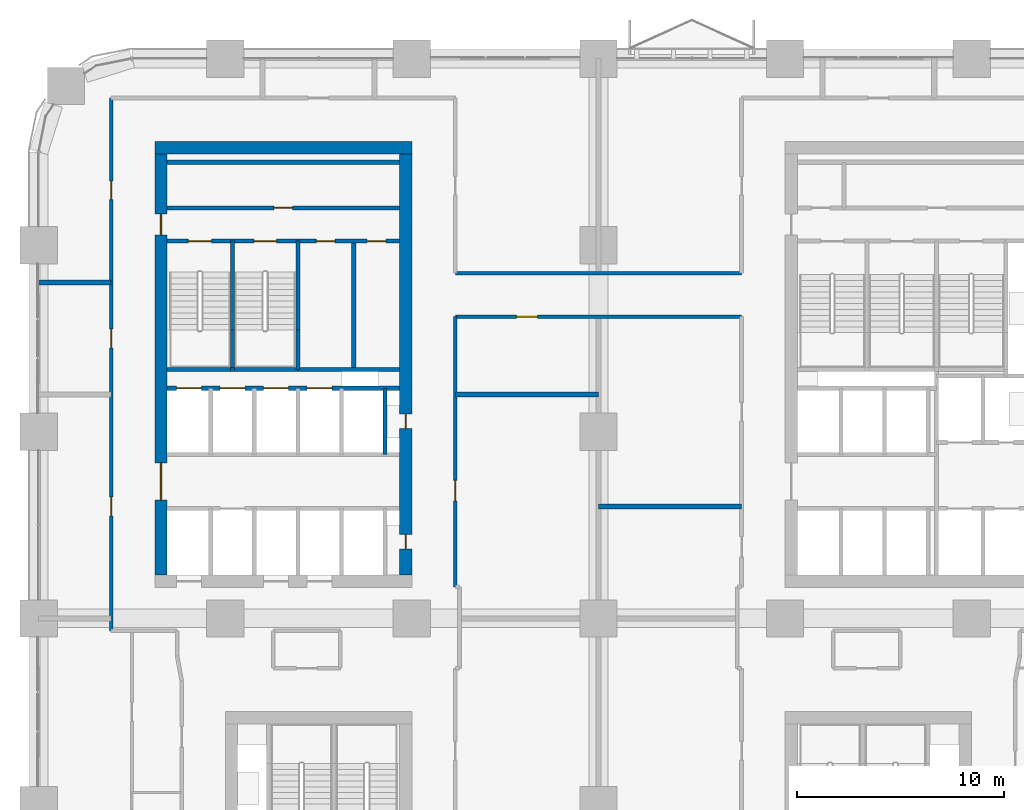
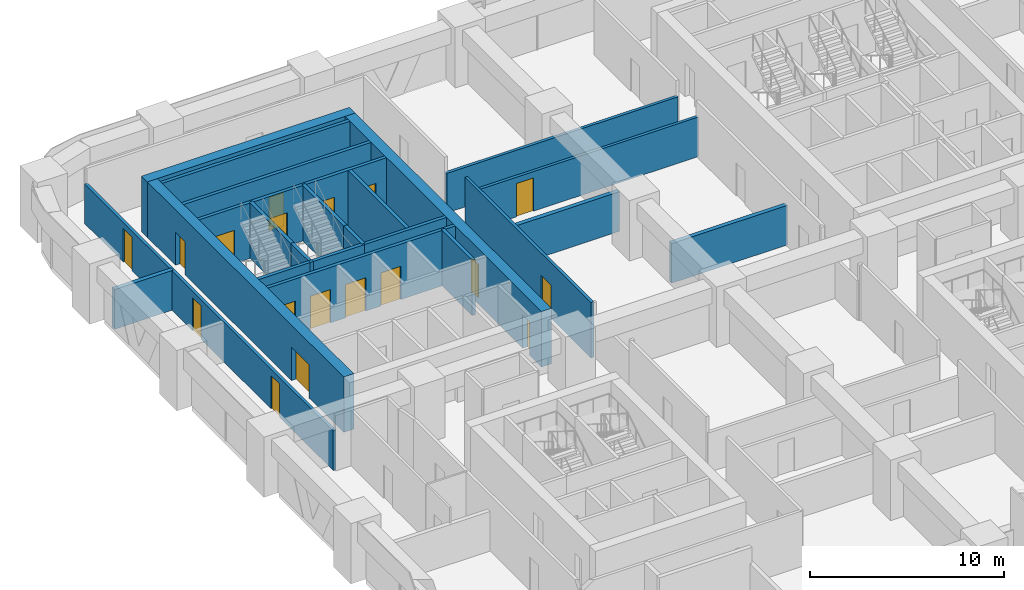
# One storey, part 16 of 22: 25 walls, 18 doors, 18 openings.
"""IFC4 building model written with IfcOpenShell, lengths in metres."""

from ifc_helpers import new_model, si_unit, direction, frame, frame_2d, origin, place, context, subcontext, project, spatial, rectangle, extrude, material, layer, layer_set, type_object, element, fill, save


model = new_model("IFC4")

# Units and contexts
model_context = context("Model", 3, precision=1e-05, world=origin(), true_north=direction((0.0, 1.0)))
body_context = subcontext(model_context, "Body", "Model", "MODEL_VIEW")
ifc_project = project(units=[si_unit("LENGTHUNIT", "METRE"), si_unit("AREAUNIT", "SQUARE_METRE"), si_unit("VOLUMEUNIT", "CUBIC_METRE"), si_unit("PLANEANGLEUNIT", "RADIAN"), si_unit("MASSUNIT", "GRAM", prefix="KILO")], contexts=[model_context])

# Site, building, storey
site_placement = place(None, origin())
site = spatial("IfcSite", under=ifc_project, at=site_placement, CompositionType="ELEMENT")
building_placement = place(site_placement, origin())
building = spatial("IfcBuilding", under=site, at=building_placement, Name="Tessera Arch", CompositionType="ELEMENT")
storey_placement = place(building_placement, frame((0.0, 0.0, 53.800048828125)))
storey = spatial("IfcBuildingStorey", under=building, at=storey_placement, Name="L11", CompositionType="ELEMENT", Elevation=53.800048828125)

# Wall
ifc_material_1 = material(Name="Gypsum board on steel stud", Category="steel")
ifc_layer_1 = layer(ifc_material_1, 0.125)
ifc_layer_set_1 = layer_set([ifc_layer_1], Name="Core partition 125 EI 60")
wall_type_1 = type_object("IfcWallType", Name="Core partition 125 EI 60", PredefinedType="PARTITIONING", material=ifc_layer_set_1)
wall_1_placement = place(storey_placement, frame((15.195068359375, 39.0, 0.0), z_axis=(0.0, 0.0, 1.0), x_axis=(0.0, 1.0, 0.0)))
element("IfcWall", 1, at=wall_1_placement, inside=storey, type_object=wall_type_1, Name="L11 C2 partition wall 13", PredefinedType="PARTITIONING", context=body_context, shape_type="SweptSolid", body=[
    extrude(rectangle(XDim=6.199951171875, YDim=0.199951171875, at=frame_2d((3.10009765625, 0.0))), origin(), (0.0, 0.0, 1.0), 3.5),
])

# Wall, openings, doors
wall_2_placement = place(storey_placement, frame((12.5, 45.199951171875, 0.0), z_axis=(0.0, 0.0, 1.0), x_axis=(1.0, 0.0, 0.0)))
wall_2 = element("IfcWall", 2, at=wall_2_placement, inside=storey, type_object=wall_type_1, Name="L11 C2 partition wall 23", PredefinedType="PARTITIONING", context=body_context, shape_type="SweptSolid", body=[
    extrude(rectangle(XDim=4.89990234375, YDim=0.199951171875, at=frame_2d((2.449951171875, 0.0))), origin(), (0.0, 0.0, 1.0), 3.5),
])
opening_1_placement = place(wall_2_placement, frame((0.8974609375, 0.0, 0.0)))
opening_1 = element("IfcOpeningElement", 3, at=opening_1_placement, cuts=wall_2, Name="Opening L11-C29", PredefinedType="OPENING", context=body_context, shape_type="SweptSolid", body=[
    extrude(rectangle(XDim=0.89990234375, YDim=2.10009765625, at=frame_2d((0.449951171875, 1.050048828125))), frame((0.0, 0.10986328125, 0.0), z_axis=(0.0, -1.0, 0.0), x_axis=(1.0, 0.0, 0.0)), (0.0, 0.0, 1.0), 0.219970703125),
])
opening_2_placement = place(wall_2_placement, frame((3.347412109375, 0.0, 0.0)))
opening_2 = element("IfcOpeningElement", 4, at=opening_2_placement, cuts=wall_2, Name="Opening L11-C30", PredefinedType="OPENING", context=body_context, shape_type="SweptSolid", body=[
    extrude(rectangle(XDim=0.89990234375, YDim=2.10009765625, at=frame_2d((0.449951171875, 1.050048828125))), frame((0.0, 0.10986328125, 0.0), z_axis=(0.0, -1.0, 0.0), x_axis=(1.0, 0.0, 0.0)), (0.0, 0.0, 1.0), 0.219970703125),
])
ifc_material_2 = material(Name="Steel door leaf", Category="steel")
door_type_1 = type_object("IfcDoorType", Name="Store door FD30S 900 x 2100", OperationType="SINGLE_SWING_LEFT", PredefinedType="DOOR", material=ifc_material_2)
door_1_placement = place(opening_1_placement, origin())
door_1 = element("IfcDoor", 5, at=door_1_placement, inside=storey, type_object=door_type_1, Name="L11 C2 door 16 C29 type D09", OperationType="SINGLE_SWING_LEFT", OverallHeight=2.10009765625, OverallWidth=0.89990234375, PredefinedType="DOOR", context=body_context, shape_type="SweptSolid", body=[
    extrude(rectangle(XDim=0.89990234375, YDim=2.10009765625, at=frame_2d((0.449951171875, 1.050048828125))), frame((0.0, 0.02490234375, 0.0), z_axis=(0.0, -1.0, 0.0), x_axis=(1.0, 0.0, 0.0)), (0.0, 0.0, 1.0), 0.050048828125),
])
fill(opening_1, door_1)
door_2_placement = place(opening_2_placement, origin())
door_2 = element("IfcDoor", 6, at=door_2_placement, inside=storey, type_object=door_type_1, Name="L11 C2 door 17 C30 type D09", OperationType="SINGLE_SWING_RIGHT", OverallHeight=2.10009765625, OverallWidth=0.89990234375, PredefinedType="DOOR", context=body_context, shape_type="SweptSolid", body=[
    extrude(rectangle(XDim=0.89990234375, YDim=2.10009765625, at=frame_2d((0.449951171875, 1.050048828125))), frame((0.0, 0.02490234375, 0.0), z_axis=(0.0, -1.0, 0.0), x_axis=(1.0, 0.0, 0.0)), (0.0, 0.0, 1.0), 0.050048828125),
])
fill(opening_2, door_2)

# Wall, opening, door
wall_3_placement = place(storey_placement, frame((6.199951171875, 46.800048828125, 0.0), z_axis=(0.0, 0.0, 1.0), x_axis=(1.0, 0.0, 0.0)))
wall_3 = element("IfcWall", 7, at=wall_3_placement, inside=storey, type_object=wall_type_1, Name="L11 C2 partition wall 25", PredefinedType="PARTITIONING", context=body_context, shape_type="SweptSolid", body=[
    extrude(rectangle(XDim=11.199951171875, YDim=0.199951171875, at=frame_2d((5.60009765625, 0.0))), origin(), (0.0, 0.0, 1.0), 3.5),
])
opening_3_placement = place(wall_3_placement, frame((5.14990234375, 0.0, 0.0)))
opening_3 = element("IfcOpeningElement", 8, at=opening_3_placement, cuts=wall_3, Name="Opening L11-C28", PredefinedType="OPENING", context=body_context, shape_type="SweptSolid", body=[
    extrude(rectangle(XDim=0.89990234375, YDim=2.10009765625, at=frame_2d((0.449951171875, 1.050048828125))), frame((0.0, 0.10986328125, 0.0), z_axis=(0.0, -1.0, 0.0), x_axis=(1.0, 0.0, 0.0)), (0.0, 0.0, 1.0), 0.219970703125),
])
door_3_placement = place(opening_3_placement, origin())
door_3 = element("IfcDoor", 9, at=door_3_placement, inside=storey, type_object=door_type_1, Name="L11 C2 door 15 C28 type D09", OperationType="SINGLE_SWING_RIGHT", OverallHeight=2.10009765625, OverallWidth=0.89990234375, PredefinedType="DOOR", context=body_context, shape_type="SweptSolid", body=[
    extrude(rectangle(XDim=0.89990234375, YDim=2.10009765625, at=frame_2d((0.449951171875, 1.050048828125))), frame((0.0, 0.02490234375, 0.0), z_axis=(0.0, -1.0, 0.0), x_axis=(1.0, 0.0, 0.0)), (0.0, 0.0, 1.0), 0.050048828125),
])
fill(opening_3, door_3)

# Walls
wall_4_placement = place(storey_placement, frame((6.199951171875, 49.0, 0.0), z_axis=(0.0, 0.0, 1.0), x_axis=(1.0, 0.0, 0.0)))
element("IfcWall", 10, at=wall_4_placement, inside=storey, type_object=wall_type_1, Name="L11 C2 partition wall 26", PredefinedType="PARTITIONING", context=body_context, shape_type="SweptSolid", body=[
    extrude(rectangle(XDim=11.199951171875, YDim=0.199951171875, at=frame_2d((5.60009765625, 0.0))), origin(), (0.0, 0.0, 1.0), 3.5),
])
ifc_material_3 = material(Name="Concrete C70/85", Category="concrete")
ifc_layer_2 = layer(ifc_material_3, 0.60009765625)
ifc_layer_set_2 = layer_set([ifc_layer_2], Name="Core shell wall 600 C70-85")
wall_type_2 = type_object("IfcWallType", Name="Core shell wall 600 C70-85", PredefinedType="SHEAR", material=ifc_layer_set_2)
wall_5_placement = place(storey_placement, frame((5.60009765625, 49.699951171875, 0.0), z_axis=(0.0, 0.0, 1.0), x_axis=(1.0, 0.0, 0.0)))
element("IfcWall", 11, at=wall_5_placement, inside=storey, type_object=wall_type_2, Name="L11 C2 core wall N", PredefinedType="SHEAR", context=body_context, shape_type="SweptSolid", body=[
    extrude(rectangle(XDim=12.39990234375, YDim=0.60009765625, at=frame_2d((6.199951171875, 0.0))), origin(), (0.0, 0.0, 1.0), 3.5),
])

# Wall, openings, doors
wall_6_placement = place(storey_placement, frame((5.89990234375, 29.10009765625, 0.0), z_axis=(0.0, 0.0, 1.0), x_axis=(0.0, 1.0, 0.0)))
wall_6 = element("IfcWall", 12, at=wall_6_placement, inside=storey, type_object=wall_type_2, Name="L11 C2 core wall W", PredefinedType="SHEAR", context=body_context, shape_type="SweptSolid", body=[
    extrude(rectangle(XDim=20.2998046875, YDim=0.60009765625, at=frame_2d((10.14990234375, 0.0))), origin(), (0.0, 0.0, 1.0), 3.5),
])
opening_4_placement = place(wall_6_placement, frame((3.60009765625, 0.0, 0.0)))
opening_4 = element("IfcOpeningElement", 13, at=opening_4_placement, cuts=wall_6, Name="Opening L11-C24", PredefinedType="OPENING", context=body_context, shape_type="SweptSolid", body=[
    extrude(rectangle(XDim=1.800048828125, YDim=2.10009765625, at=frame_2d((0.89990234375, 1.050048828125))), frame((0.0, 0.31005859375, 0.0), z_axis=(0.0, -1.0, 0.0), x_axis=(1.0, 0.0, 0.0)), (0.0, 0.0, 1.0), 0.6201171875),
])
opening_5_placement = place(wall_6_placement, frame((16.39990234375, 0.0, 0.0)))
opening_5 = element("IfcOpeningElement", 14, at=opening_5_placement, cuts=wall_6, Name="Opening L11-C27", PredefinedType="OPENING", context=body_context, shape_type="SweptSolid", body=[
    extrude(rectangle(XDim=1.0, YDim=2.10009765625, at=frame_2d((0.5, 1.050048828125))), frame((0.0, 0.31005859375, 0.0), z_axis=(0.0, -1.0, 0.0), x_axis=(1.0, 0.0, 0.0)), (0.0, 0.0, 1.0), 0.6201171875),
])
ifc_material_4 = material(Name="Steel door leaf", Category="steel")
door_type_2 = type_object("IfcDoorType", Name="Corridor door FD60 1000 x 2100", OperationType="SINGLE_SWING_LEFT", PredefinedType="DOOR", material=ifc_material_4)
door_4_placement = place(opening_5_placement, origin())
door_4 = element("IfcDoor", 15, at=door_4_placement, inside=storey, type_object=door_type_2, Name="L11 C2 door 14 C27 type D12", OperationType="SINGLE_SWING_RIGHT", OverallHeight=2.10009765625, OverallWidth=1.0, PredefinedType="DOOR", context=body_context, shape_type="SweptSolid", body=[
    extrude(rectangle(XDim=1.0, YDim=2.10009765625, at=frame_2d((0.5, 1.050048828125))), frame((0.0, 0.02490234375, 0.0), z_axis=(0.0, -1.0, 0.0), x_axis=(1.0, 0.0, 0.0)), (0.0, 0.0, 1.0), 0.050048828125),
])
fill(opening_5, door_4)
ifc_material_5 = material(Name="Glazed steel door leaf", Category="steel")
door_type_3 = type_object("IfcDoorType", Name="Lobby double door FD30S 1800 x 2100", OperationType="DOUBLE_DOOR_SINGLE_SWING", PredefinedType="DOOR", material=ifc_material_5)
door_5_placement = place(opening_4_placement, origin())
door_5 = element("IfcDoor", 16, at=door_5_placement, inside=storey, type_object=door_type_3, Name="L11 C2 door 11 C24 type D06", OperationType="DOUBLE_DOOR_SINGLE_SWING", OverallHeight=2.10009765625, OverallWidth=1.800048828125, PredefinedType="DOOR", context=body_context, shape_type="SweptSolid", body=[
    extrude(rectangle(XDim=1.800048828125, YDim=2.10009765625, at=frame_2d((0.89990234375, 1.050048828125))), frame((0.0, 0.02490234375, 0.0), z_axis=(0.0, -1.0, 0.0), x_axis=(1.0, 0.0, 0.0)), (0.0, 0.0, 1.0), 0.050048828125),
])
fill(opening_4, door_5)

wall_7_placement = place(storey_placement, frame((17.699951171875, 29.10009765625, 0.0), z_axis=(0.0, 0.0, 1.0), x_axis=(0.0, 1.0, 0.0)))
wall_7 = element("IfcWall", 17, at=wall_7_placement, inside=storey, type_object=wall_type_2, Name="L11 C2 core wall E", PredefinedType="SHEAR", context=body_context, shape_type="SweptSolid", body=[
    extrude(rectangle(XDim=20.2998046875, YDim=0.60009765625, at=frame_2d((10.14990234375, 0.0))), origin(), (0.0, 0.0, 1.0), 3.5),
])
opening_6_placement = place(wall_7_placement, frame((1.25, 0.0, 0.0)))
opening_6 = element("IfcOpeningElement", 18, at=opening_6_placement, cuts=wall_7, Name="Opening L11-C22", PredefinedType="OPENING", context=body_context, shape_type="SweptSolid", body=[
    extrude(rectangle(XDim=0.699951171875, YDim=2.10009765625, at=frame_2d((0.35009765625, 1.050048828125))), frame((0.0, 0.31005859375, 0.0), z_axis=(0.0, -1.0, 0.0), x_axis=(1.0, 0.0, 0.0)), (0.0, 0.0, 1.0), 0.6201171875),
])
opening_7_placement = place(wall_7_placement, frame((7.050048828125, 0.0, 0.0)))
opening_7 = element("IfcOpeningElement", 19, at=opening_7_placement, cuts=wall_7, Name="Opening L11-C23", PredefinedType="OPENING", context=body_context, shape_type="SweptSolid", body=[
    extrude(rectangle(XDim=0.699951171875, YDim=2.10009765625, at=frame_2d((0.35009765625, 1.050048828125))), frame((0.0, 0.31005859375, 0.0), z_axis=(0.0, -1.0, 0.0), x_axis=(1.0, 0.0, 0.0)), (0.0, 0.0, 1.0), 0.6201171875),
])
ifc_material_6 = material(Name="Steel door leaf", Category="steel")
door_type_4 = type_object("IfcDoorType", Name="Service shaft door FD60 700 x 2100", OperationType="SINGLE_SWING_LEFT", PredefinedType="DOOR", material=ifc_material_6)
door_6_placement = place(opening_6_placement, origin())
door_6 = element("IfcDoor", 20, at=door_6_placement, inside=storey, type_object=door_type_4, Name="L11 C2 door 9 C22 type D07", OperationType="SINGLE_SWING_LEFT", OverallHeight=2.10009765625, OverallWidth=0.699951171875, PredefinedType="DOOR", context=body_context, shape_type="SweptSolid", body=[
    extrude(rectangle(XDim=0.699951171875, YDim=2.10009765625, at=frame_2d((0.35009765625, 1.050048828125))), frame((0.0, 0.02490234375, 0.0), z_axis=(0.0, -1.0, 0.0), x_axis=(1.0, 0.0, 0.0)), (0.0, 0.0, 1.0), 0.050048828125),
])
fill(opening_6, door_6)
door_7_placement = place(opening_7_placement, origin())
door_7 = element("IfcDoor", 21, at=door_7_placement, inside=storey, type_object=door_type_4, Name="L11 C2 door 10 C23 type D07", OperationType="SINGLE_SWING_LEFT", OverallHeight=2.10009765625, OverallWidth=0.699951171875, PredefinedType="DOOR", context=body_context, shape_type="SweptSolid", body=[
    extrude(rectangle(XDim=0.699951171875, YDim=2.10009765625, at=frame_2d((0.35009765625, 1.050048828125))), frame((0.0, 0.02490234375, 0.0), z_axis=(0.0, -1.0, 0.0), x_axis=(1.0, 0.0, 0.0)), (0.0, 0.0, 1.0), 0.050048828125),
])
fill(opening_7, door_7)

# Wall, opening, door
ifc_material_7 = material(Name="Gypsum board on deep steel stud with mineral wool", Category="steel")
ifc_layer_3 = layer(ifc_material_7, 0.175048828125)
ifc_layer_set_3 = layer_set([ifc_layer_3], Name="Corridor wall 175 EI 60")
wall_type_3 = type_object("IfcWallType", Name="Corridor wall 175 EI 60", PredefinedType="PARTITIONING", material=ifc_layer_set_3)
wall_8_placement = place(storey_placement, frame((20.10009765625, 41.550048828125, 0.0), z_axis=(0.0, 0.0, 1.0), x_axis=(1.0, 0.0, 0.0)))
wall_8 = element("IfcWall", 22, at=wall_8_placement, inside=storey, type_object=wall_type_3, Name="L11 partition 15", PredefinedType="PARTITIONING", context=body_context, shape_type="SweptSolid", body=[
    extrude(rectangle(XDim=13.7998046875, YDim=0.175048828125, at=frame_2d((6.89990234375, 0.0))), origin(), (0.0, 0.0, 1.0), 2.5),
])
opening_8_placement = place(wall_8_placement, frame((2.949951171875, 0.0, 0.0)))
opening_8 = element("IfcOpeningElement", 23, at=opening_8_placement, cuts=wall_8, Name="Opening L11-D030", PredefinedType="OPENING", context=body_context, shape_type="SweptSolid", body=[
    extrude(rectangle(XDim=1.0, YDim=2.10009765625, at=frame_2d((0.5, 1.050048828125))), frame((0.0, 0.097412109375, 0.0), z_axis=(0.0, -1.0, 0.0), x_axis=(1.0, 0.0, 0.0)), (0.0, 0.0, 1.0), 0.195068359375),
])
ifc_material_8 = material(Name="Fire-rated door leaf")
door_type_5 = type_object("IfcDoorType", Name="Entrance door FD30S 1000 x 2100", OperationType="SINGLE_SWING_LEFT", PredefinedType="DOOR", material=ifc_material_8)
door_8_placement = place(opening_8_placement, origin())
door_8 = element("IfcDoor", 24, at=door_8_placement, inside=storey, type_object=door_type_5, Name="L11 door D030 type D03", OperationType="SINGLE_SWING_LEFT", OverallHeight=2.10009765625, OverallWidth=1.0, PredefinedType="DOOR", context=body_context, shape_type="SweptSolid", body=[
    extrude(rectangle(XDim=1.0, YDim=2.10009765625, at=frame_2d((0.5, 1.050048828125))), frame((0.0, 0.02490234375, 0.0), z_axis=(0.0, -1.0, 0.0), x_axis=(1.0, 0.0, 0.0)), (0.0, 0.0, 1.0), 0.050048828125),
])
fill(opening_8, door_8)

# Wall
wall_9_placement = place(storey_placement, frame((20.10009765625, 43.64990234375, 0.0), z_axis=(0.0, 0.0, 1.0), x_axis=(1.0, 0.0, 0.0)))
element("IfcWall", 25, at=wall_9_placement, inside=storey, type_object=wall_type_3, Name="L11 partition 16", PredefinedType="PARTITIONING", context=body_context, shape_type="SweptSolid", body=[
    extrude(rectangle(XDim=13.7998046875, YDim=0.175048828125, at=frame_2d((6.89990234375, 0.0))), origin(), (0.0, 0.0, 1.0), 2.5),
])

# Wall, openings, doors
wall_10_placement = place(storey_placement, frame((3.5, 26.39990234375, 0.0), z_axis=(0.0, 0.0, 1.0), x_axis=(0.0, 1.0, 0.0)))
wall_10 = element("IfcWall", 26, at=wall_10_placement, inside=storey, type_object=wall_type_3, Name="L11 partition 19", PredefinedType="PARTITIONING", context=body_context, shape_type="SweptSolid", body=[
    extrude(rectangle(XDim=25.7001953125, YDim=0.175048828125, at=frame_2d((12.85009765625, 0.0))), origin(), (0.0, 0.0, 1.0), 2.5),
])
opening_9_placement = place(wall_10_placement, frame((5.550048828125, 0.0, 0.0)))
opening_9 = element("IfcOpeningElement", 27, at=opening_9_placement, cuts=wall_10, Name="Opening L11-D026", PredefinedType="OPENING", context=body_context, shape_type="SweptSolid", body=[
    extrude(rectangle(XDim=0.89990234375, YDim=2.10009765625, at=frame_2d((0.449951171875, 1.050048828125))), frame((0.0, 0.097412109375, 0.0), z_axis=(0.0, -1.0, 0.0), x_axis=(1.0, 0.0, 0.0)), (0.0, 0.0, 1.0), 0.195068359375),
])
opening_10_placement = place(wall_10_placement, frame((13.64990234375, 0.0, 0.0)))
opening_10 = element("IfcOpeningElement", 28, at=opening_10_placement, cuts=wall_10, Name="Opening L11-D031", PredefinedType="OPENING", context=body_context, shape_type="SweptSolid", body=[
    extrude(rectangle(XDim=0.89990234375, YDim=2.10009765625, at=frame_2d((0.449951171875, 1.050048828125))), frame((0.0, 0.097412109375, 0.0), z_axis=(0.0, -1.0, 0.0), x_axis=(1.0, 0.0, 0.0)), (0.0, 0.0, 1.0), 0.195068359375),
])
opening_11_placement = place(wall_10_placement, frame((20.800048828125, 0.0, 0.0)))
opening_11 = element("IfcOpeningElement", 29, at=opening_11_placement, cuts=wall_10, Name="Opening L11-D034", PredefinedType="OPENING", context=body_context, shape_type="SweptSolid", body=[
    extrude(rectangle(XDim=0.89990234375, YDim=2.10009765625, at=frame_2d((0.449951171875, 1.050048828125))), frame((0.0, 0.097412109375, 0.0), z_axis=(0.0, -1.0, 0.0), x_axis=(1.0, 0.0, 0.0)), (0.0, 0.0, 1.0), 0.195068359375),
])
ifc_material_9 = material(Name="Timber door leaf", Category="wood")
door_type_6 = type_object("IfcDoorType", Name="Room door 900 x 2100", OperationType="SINGLE_SWING_LEFT", PredefinedType="DOOR", material=ifc_material_9)
door_9_placement = place(opening_9_placement, origin())
door_9 = element("IfcDoor", 30, at=door_9_placement, inside=storey, type_object=door_type_6, Name="L11 door D026 type D01", OperationType="SINGLE_SWING_RIGHT", OverallHeight=2.10009765625, OverallWidth=0.89990234375, PredefinedType="DOOR", context=body_context, shape_type="SweptSolid", body=[
    extrude(rectangle(XDim=0.89990234375, YDim=2.10009765625, at=frame_2d((0.449951171875, 1.050048828125))), frame((0.0, 0.02490234375, 0.0), z_axis=(0.0, -1.0, 0.0), x_axis=(1.0, 0.0, 0.0)), (0.0, 0.0, 1.0), 0.050048828125),
])
fill(opening_9, door_9)
door_10_placement = place(opening_10_placement, origin())
door_10 = element("IfcDoor", 31, at=door_10_placement, inside=storey, type_object=door_type_6, Name="L11 door D031 type D01", OperationType="SINGLE_SWING_LEFT", OverallHeight=2.10009765625, OverallWidth=0.89990234375, PredefinedType="DOOR", context=body_context, shape_type="SweptSolid", body=[
    extrude(rectangle(XDim=0.89990234375, YDim=2.10009765625, at=frame_2d((0.449951171875, 1.050048828125))), frame((0.0, 0.02490234375, 0.0), z_axis=(0.0, -1.0, 0.0), x_axis=(1.0, 0.0, 0.0)), (0.0, 0.0, 1.0), 0.050048828125),
])
fill(opening_10, door_10)
door_11_placement = place(opening_11_placement, origin())
door_11 = element("IfcDoor", 32, at=door_11_placement, inside=storey, type_object=door_type_6, Name="L11 door D034 type D01", OperationType="SINGLE_SWING_RIGHT", OverallHeight=2.10009765625, OverallWidth=0.89990234375, PredefinedType="DOOR", context=body_context, shape_type="SweptSolid", body=[
    extrude(rectangle(XDim=0.89990234375, YDim=2.10009765625, at=frame_2d((0.449951171875, 1.050048828125))), frame((0.0, 0.02490234375, 0.0), z_axis=(0.0, -1.0, 0.0), x_axis=(1.0, 0.0, 0.0)), (0.0, 0.0, 1.0), 0.050048828125),
])
fill(opening_11, door_11)

# Wall, opening, door
wall_11_placement = place(storey_placement, frame((20.10009765625, 28.52001953125, 0.0), z_axis=(0.0, 0.0, 1.0), x_axis=(0.0, 1.0, 0.0)))
wall_11 = element("IfcWall", 33, at=wall_11_placement, inside=storey, type_object=wall_type_3, Name="L11 partition 26", PredefinedType="PARTITIONING", context=body_context, shape_type="SweptSolid", body=[
    extrude(rectangle(XDim=13.030029296875, YDim=0.175048828125, at=frame_2d((6.51513671875, 0.0))), origin(), (0.0, 0.0, 1.0), 3.5),
])
opening_12_placement = place(wall_11_placement, frame((4.139892578125, 0.0, 0.0)))
opening_12 = element("IfcOpeningElement", 34, at=opening_12_placement, cuts=wall_11, Name="Opening L11-D027", PredefinedType="OPENING", context=body_context, shape_type="SweptSolid", body=[
    extrude(rectangle(XDim=1.0, YDim=2.10009765625, at=frame_2d((0.5, 1.050048828125))), frame((0.0, 0.097412109375, 0.0), z_axis=(0.0, -1.0, 0.0), x_axis=(1.0, 0.0, 0.0)), (0.0, 0.0, 1.0), 0.195068359375),
])
door_12_placement = place(opening_12_placement, origin())
door_12 = element("IfcDoor", 35, at=door_12_placement, inside=storey, type_object=door_type_5, Name="L11 door D027 type D03", OperationType="SINGLE_SWING_RIGHT", OverallHeight=2.10009765625, OverallWidth=1.0, PredefinedType="DOOR", context=body_context, shape_type="SweptSolid", body=[
    extrude(rectangle(XDim=1.0, YDim=2.10009765625, at=frame_2d((0.5, 1.050048828125))), frame((0.0, 0.02490234375, 0.0), z_axis=(0.0, -1.0, 0.0), x_axis=(1.0, 0.0, 0.0)), (0.0, 0.0, 1.0), 0.050048828125),
])
fill(opening_12, door_12)

# Walls
ifc_material_10 = material(Name="Double gypsum board on twin steel stud with acoustic mineral wool", Category="steel")
ifc_layer_4 = layer(ifc_material_10, 0.25)
ifc_layer_set_4 = layer_set([ifc_layer_4], Name="Party wall 250 EI 60")
wall_type_4 = type_object("IfcWallType", Name="Party wall 250 EI 60", PredefinedType="PARTITIONING", material=ifc_layer_set_4)
for number, where, z_axis, x_axis, name in (
    (36, (27.0, 32.39990234375, 0.0), (0.0, 0.0, 1.0), (1.0, 0.0, 0.0), "L11 partition 51"),
    (37, (20.10009765625, 37.800048828125, 0.0), (0.0, 0.0, 1.0), (1.0, 0.0, 0.0), "L11 partition 54"),
):
    element("IfcWall", number, at=place(storey_placement, frame(where, z_axis=z_axis, x_axis=x_axis)), inside=storey, type_object=wall_type_4, Name=name, PredefinedType="PARTITIONING", context=body_context, shape_type="SweptSolid", body=[
        extrude(rectangle(XDim=6.89990234375, YDim=0.25, at=frame_2d((3.449951171875, 0.0))), origin(), (0.0, 0.0, 1.0), 2.5),
    ])
wall_12_placement = place(storey_placement, frame((0.0, 43.199951171875, 0.0), z_axis=(0.0, 0.0, 1.0), x_axis=(1.0, 0.0, 0.0)))
element("IfcWall", 38, at=wall_12_placement, inside=storey, type_object=wall_type_4, Name="L11 partition 55", PredefinedType="PARTITIONING", context=body_context, shape_type="SweptSolid", body=[
    extrude(rectangle(XDim=3.5, YDim=0.25, at=frame_2d((1.75, 0.0))), origin(), (0.0, 0.0, 1.0), 2.5),
])
ifc_material_11 = material(Name="Concrete C40/50", Category="concrete")
ifc_layer_5 = layer(ifc_material_11, 0.199951171875)
ifc_layer_set_5 = layer_set([ifc_layer_5], Name="Shaft wall 200 EI 120")
wall_type_5 = type_object("IfcWallType", Name="Shaft wall 200 EI 120", PredefinedType="SOLIDWALL", material=ifc_layer_set_5)
wall_13_placement = place(storey_placement, frame((16.699951171875, 34.89990234375, 0.0), z_axis=(0.0, 0.0, 1.0), x_axis=(0.0, 1.0, 0.0)))
element("IfcWall", 39, at=wall_13_placement, inside=storey, type_object=wall_type_5, Name="L11 C2 shaft wall 15", PredefinedType="SOLIDWALL", context=body_context, shape_type="SweptSolid", body=[
    extrude(rectangle(XDim=3.2001953125, YDim=0.199951171875, at=frame_2d((1.60009765625, 0.0))), origin(), (0.0, 0.0, 1.0), 3.5),
])

# Wall, openings, doors
wall_14_placement = place(storey_placement, frame((6.199951171875, 38.10009765625, 0.0), z_axis=(0.0, 0.0, 1.0), x_axis=(1.0, 0.0, 0.0)))
wall_14 = element("IfcWall", 40, at=wall_14_placement, inside=storey, type_object=wall_type_5, Name="L11 C2 shaft wall 18", PredefinedType="SOLIDWALL", context=body_context, shape_type="SweptSolid", body=[
    extrude(rectangle(XDim=11.199951171875, YDim=0.199951171875, at=frame_2d((5.60009765625, 0.0))), origin(), (0.0, 0.0, 1.0), 3.5),
])
opening_13_placement = place(wall_14_placement, frame((0.449951171875, 0.0, 0.0)))
opening_13 = element("IfcOpeningElement", 41, at=opening_13_placement, cuts=wall_14, Name="Opening L11-C18", PredefinedType="OPENING", context=body_context, shape_type="SweptSolid", body=[
    extrude(rectangle(XDim=1.199951171875, YDim=2.10009765625, at=frame_2d((0.60009765625, 1.050048828125))), frame((0.0, 0.10986328125, 0.0), z_axis=(0.0, -1.0, 0.0), x_axis=(1.0, 0.0, 0.0)), (0.0, 0.0, 1.0), 0.219970703125),
])
opening_14_placement = place(wall_14_placement, frame((2.550048828125, 0.0, 0.0)))
opening_14 = element("IfcOpeningElement", 42, at=opening_14_placement, cuts=wall_14, Name="Opening L11-C19", PredefinedType="OPENING", context=body_context, shape_type="SweptSolid", body=[
    extrude(rectangle(XDim=1.199951171875, YDim=2.10009765625, at=frame_2d((0.60009765625, 1.050048828125))), frame((0.0, 0.10986328125, 0.0), z_axis=(0.0, -1.0, 0.0), x_axis=(1.0, 0.0, 0.0)), (0.0, 0.0, 1.0), 0.219970703125),
])
opening_15_placement = place(wall_14_placement, frame((4.64990234375, 0.0, 0.0)))
opening_15 = element("IfcOpeningElement", 43, at=opening_15_placement, cuts=wall_14, Name="Opening L11-C20", PredefinedType="OPENING", context=body_context, shape_type="SweptSolid", body=[
    extrude(rectangle(XDim=1.199951171875, YDim=2.10009765625, at=frame_2d((0.60009765625, 1.050048828125))), frame((0.0, 0.10986328125, 0.0), z_axis=(0.0, -1.0, 0.0), x_axis=(1.0, 0.0, 0.0)), (0.0, 0.0, 1.0), 0.219970703125),
])
opening_16_placement = place(wall_14_placement, frame((6.75, 0.0, 0.0)))
opening_16 = element("IfcOpeningElement", 44, at=opening_16_placement, cuts=wall_14, Name="Opening L11-C21", PredefinedType="OPENING", context=body_context, shape_type="SweptSolid", body=[
    extrude(rectangle(XDim=1.199951171875, YDim=2.10009765625, at=frame_2d((0.60009765625, 1.050048828125))), frame((0.0, 0.10986328125, 0.0), z_axis=(0.0, -1.0, 0.0), x_axis=(1.0, 0.0, 0.0)), (0.0, 0.0, 1.0), 0.219970703125),
])
ifc_material_12 = material(Name="Stainless steel AISI 304", Category="steel")
door_type_7 = type_object("IfcDoorType", Name="Sliding landing door 1200 x 2100", OperationType="SLIDING_TO_LEFT", PredefinedType="DOOR", material=ifc_material_12)
door_13_placement = place(opening_13_placement, origin())
door_13 = element("IfcDoor", 45, at=door_13_placement, inside=storey, type_object=door_type_7, Name="L11 LR5 lift landing door C18 type LD", OperationType="SLIDING_TO_LEFT", OverallHeight=2.10009765625, OverallWidth=1.199951171875, PredefinedType="DOOR", context=body_context, shape_type="SweptSolid", body=[
    extrude(rectangle(XDim=1.199951171875, YDim=2.10009765625, at=frame_2d((0.60009765625, 1.050048828125))), frame((0.0, 0.02490234375, 0.0), z_axis=(0.0, -1.0, 0.0), x_axis=(1.0, 0.0, 0.0)), (0.0, 0.0, 1.0), 0.050048828125),
])
fill(opening_13, door_13)
door_14_placement = place(opening_14_placement, origin())
door_14 = element("IfcDoor", 46, at=door_14_placement, inside=storey, type_object=door_type_7, Name="L11 LR6 lift landing door C19 type LD", OperationType="SLIDING_TO_LEFT", OverallHeight=2.10009765625, OverallWidth=1.199951171875, PredefinedType="DOOR", context=body_context, shape_type="SweptSolid", body=[
    extrude(rectangle(XDim=1.199951171875, YDim=2.10009765625, at=frame_2d((0.60009765625, 1.050048828125))), frame((0.0, 0.02490234375, 0.0), z_axis=(0.0, -1.0, 0.0), x_axis=(1.0, 0.0, 0.0)), (0.0, 0.0, 1.0), 0.050048828125),
])
fill(opening_14, door_14)
door_15_placement = place(opening_15_placement, origin())
door_15 = element("IfcDoor", 47, at=door_15_placement, inside=storey, type_object=door_type_7, Name="L11 LR7 lift landing door C20 type LD", OperationType="SLIDING_TO_LEFT", OverallHeight=2.10009765625, OverallWidth=1.199951171875, PredefinedType="DOOR", context=body_context, shape_type="SweptSolid", body=[
    extrude(rectangle(XDim=1.199951171875, YDim=2.10009765625, at=frame_2d((0.60009765625, 1.050048828125))), frame((0.0, 0.02490234375, 0.0), z_axis=(0.0, -1.0, 0.0), x_axis=(1.0, 0.0, 0.0)), (0.0, 0.0, 1.0), 0.050048828125),
])
fill(opening_15, door_15)
door_16_placement = place(opening_16_placement, origin())
door_16 = element("IfcDoor", 48, at=door_16_placement, inside=storey, type_object=door_type_7, Name="L11 LR8 lift landing door C21 type LD", OperationType="SLIDING_TO_LEFT", OverallHeight=2.10009765625, OverallWidth=1.199951171875, PredefinedType="DOOR", context=body_context, shape_type="SweptSolid", body=[
    extrude(rectangle(XDim=1.199951171875, YDim=2.10009765625, at=frame_2d((0.60009765625, 1.050048828125))), frame((0.0, 0.02490234375, 0.0), z_axis=(0.0, -1.0, 0.0), x_axis=(1.0, 0.0, 0.0)), (0.0, 0.0, 1.0), 0.050048828125),
])
fill(opening_16, door_16)

# Walls
wall_15_placement = place(storey_placement, frame((12.5, 39.0, 0.0), z_axis=(0.0, 0.0, 1.0), x_axis=(1.0, 0.0, 0.0)))
element("IfcWall", 49, at=wall_15_placement, inside=storey, type_object=wall_type_5, Name="L11 C2 shaft wall 19", PredefinedType="SOLIDWALL", context=body_context, shape_type="SweptSolid", body=[
    extrude(rectangle(XDim=4.89990234375, YDim=0.199951171875, at=frame_2d((2.449951171875, 0.0))), origin(), (0.0, 0.0, 1.0), 3.5),
])
ifc_material_13 = material(Name="Concrete C40/50", Category="concrete")
ifc_layer_6 = layer(ifc_material_13, 0.199951171875)
ifc_layer_set_6 = layer_set([ifc_layer_6], Name="Stair well wall 200 REI 180")
wall_type_6 = type_object("IfcWallType", Name="Stair well wall 200 REI 180", PredefinedType="SOLIDWALL", material=ifc_layer_set_6)
wall_16_placement = place(storey_placement, frame((9.35009765625, 39.0, 0.0), z_axis=(0.0, 0.0, 1.0), x_axis=(0.0, 1.0, 0.0)))
element("IfcWall", 50, at=wall_16_placement, inside=storey, type_object=wall_type_6, Name="L11 C2 shaft wall 3", PredefinedType="SOLIDWALL", context=body_context, shape_type="SweptSolid", body=[
    extrude(rectangle(XDim=1.89990234375, YDim=0.199951171875, at=frame_2d((0.949951171875, 0.0))), origin(), (0.0, 0.0, 1.0), 3.5),
])
wall_17_placement = place(storey_placement, frame((9.35009765625, 40.89990234375, 0.0), z_axis=(0.0, 0.0, 1.0), x_axis=(0.0, 1.0, 0.0)))
element("IfcWall", 51, at=wall_17_placement, inside=storey, type_object=wall_type_6, Name="L11 C2 shaft wall 4", PredefinedType="SOLIDWALL", context=body_context, shape_type="SweptSolid", body=[
    extrude(rectangle(XDim=4.300048828125, YDim=0.199951171875, at=frame_2d((2.14990234375, 0.0))), origin(), (0.0, 0.0, 1.0), 3.5),
])
wall_18_placement = place(storey_placement, frame((12.5, 39.0, 0.0), z_axis=(0.0, 0.0, 1.0), x_axis=(0.0, 1.0, 0.0)))
element("IfcWall", 52, at=wall_18_placement, inside=storey, type_object=wall_type_6, Name="L11 C2 shaft wall 9", PredefinedType="SOLIDWALL", context=body_context, shape_type="SweptSolid", body=[
    extrude(rectangle(XDim=1.89990234375, YDim=0.199951171875, at=frame_2d((0.949951171875, 0.0))), origin(), (0.0, 0.0, 1.0), 3.5),
])
wall_19_placement = place(storey_placement, frame((12.5, 40.89990234375, 0.0), z_axis=(0.0, 0.0, 1.0), x_axis=(0.0, 1.0, 0.0)))
element("IfcWall", 53, at=wall_19_placement, inside=storey, type_object=wall_type_6, Name="L11 C2 shaft wall 10", PredefinedType="SOLIDWALL", context=body_context, shape_type="SweptSolid", body=[
    extrude(rectangle(XDim=4.300048828125, YDim=0.199951171875, at=frame_2d((2.14990234375, 0.0))), origin(), (0.0, 0.0, 1.0), 3.5),
])
wall_20_placement = place(storey_placement, frame((6.199951171875, 39.0, 0.0), z_axis=(0.0, 0.0, 1.0), x_axis=(1.0, 0.0, 0.0)))
element("IfcWall", 54, at=wall_20_placement, inside=storey, type_object=wall_type_6, Name="L11 C2 shaft wall 20", PredefinedType="SOLIDWALL", context=body_context, shape_type="SweptSolid", body=[
    extrude(rectangle(XDim=3.050048828125, YDim=0.199951171875, at=frame_2d((1.52490234375, 0.0))), origin(), (0.0, 0.0, 1.0), 3.5),
])
wall_21_placement = place(storey_placement, frame((9.25, 39.0, 0.0), z_axis=(0.0, 0.0, 1.0), x_axis=(1.0, 0.0, 0.0)))
element("IfcWall", 55, at=wall_21_placement, inside=storey, type_object=wall_type_6, Name="L11 C2 shaft wall 21", PredefinedType="SOLIDWALL", context=body_context, shape_type="SweptSolid", body=[
    extrude(rectangle(XDim=0.199951171875, YDim=0.199951171875, at=frame_2d((0.10009765625, 0.0))), origin(), (0.0, 0.0, 1.0), 3.5),
])
wall_22_placement = place(storey_placement, frame((9.449951171875, 39.0, 0.0), z_axis=(0.0, 0.0, 1.0), x_axis=(1.0, 0.0, 0.0)))
element("IfcWall", 56, at=wall_22_placement, inside=storey, type_object=wall_type_6, Name="L11 C2 shaft wall 22", PredefinedType="SOLIDWALL", context=body_context, shape_type="SweptSolid", body=[
    extrude(rectangle(XDim=3.050048828125, YDim=0.199951171875, at=frame_2d((1.52490234375, 0.0))), origin(), (0.0, 0.0, 1.0), 3.5),
])

# Wall, openings, doors
wall_23_placement = place(storey_placement, frame((6.199951171875, 45.199951171875, 0.0), z_axis=(0.0, 0.0, 1.0), x_axis=(1.0, 0.0, 0.0)))
wall_23 = element("IfcWall", 57, at=wall_23_placement, inside=storey, type_object=wall_type_6, Name="L11 C2 shaft wall 24", PredefinedType="SOLIDWALL", context=body_context, shape_type="SweptSolid", body=[
    extrude(rectangle(XDim=6.300048828125, YDim=0.199951171875, at=frame_2d((3.14990234375, 0.0))), origin(), (0.0, 0.0, 1.0), 3.5),
])
opening_17_placement = place(wall_23_placement, frame((1.02490234375, 0.0, 0.0)))
opening_17 = element("IfcOpeningElement", 58, at=opening_17_placement, cuts=wall_23, Name="Opening L11-C25", PredefinedType="OPENING", context=body_context, shape_type="SweptSolid", body=[
    extrude(rectangle(XDim=1.10009765625, YDim=2.10009765625, at=frame_2d((0.550048828125, 1.050048828125))), frame((0.0, 0.10986328125, 0.0), z_axis=(0.0, -1.0, 0.0), x_axis=(1.0, 0.0, 0.0)), (0.0, 0.0, 1.0), 0.219970703125),
])
opening_18_placement = place(wall_23_placement, frame((4.175048828125, 0.0, 0.0)))
opening_18 = element("IfcOpeningElement", 59, at=opening_18_placement, cuts=wall_23, Name="Opening L11-C26", PredefinedType="OPENING", context=body_context, shape_type="SweptSolid", body=[
    extrude(rectangle(XDim=1.10009765625, YDim=2.10009765625, at=frame_2d((0.550048828125, 1.050048828125))), frame((0.0, 0.10986328125, 0.0), z_axis=(0.0, -1.0, 0.0), x_axis=(1.0, 0.0, 0.0)), (0.0, 0.0, 1.0), 0.219970703125),
])
ifc_material_14 = material(Name="Steel door leaf", Category="steel")
door_type_8 = type_object("IfcDoorType", Name="Stair door FD60 1100 x 2100", OperationType="SINGLE_SWING_LEFT", PredefinedType="DOOR", material=ifc_material_14)
door_17_placement = place(opening_17_placement, origin())
door_17 = element("IfcDoor", 60, at=door_17_placement, inside=storey, type_object=door_type_8, Name="L11 C2 door 12 C25 type D05", OperationType="SINGLE_SWING_LEFT", OverallHeight=2.10009765625, OverallWidth=1.10009765625, PredefinedType="DOOR", context=body_context, shape_type="SweptSolid", body=[
    extrude(rectangle(XDim=1.10009765625, YDim=2.10009765625, at=frame_2d((0.550048828125, 1.050048828125))), frame((0.0, 0.02490234375, 0.0), z_axis=(0.0, -1.0, 0.0), x_axis=(1.0, 0.0, 0.0)), (0.0, 0.0, 1.0), 0.050048828125),
])
fill(opening_17, door_17)
door_18_placement = place(opening_18_placement, origin())
door_18 = element("IfcDoor", 61, at=door_18_placement, inside=storey, type_object=door_type_8, Name="L11 C2 door 13 C26 type D05", OperationType="SINGLE_SWING_RIGHT", OverallHeight=2.10009765625, OverallWidth=1.10009765625, PredefinedType="DOOR", context=body_context, shape_type="SweptSolid", body=[
    extrude(rectangle(XDim=1.10009765625, YDim=2.10009765625, at=frame_2d((0.550048828125, 1.050048828125))), frame((0.0, 0.02490234375, 0.0), z_axis=(0.0, -1.0, 0.0), x_axis=(1.0, 0.0, 0.0)), (0.0, 0.0, 1.0), 0.050048828125),
])
fill(opening_18, door_18)

save(model, "model.ifc")
